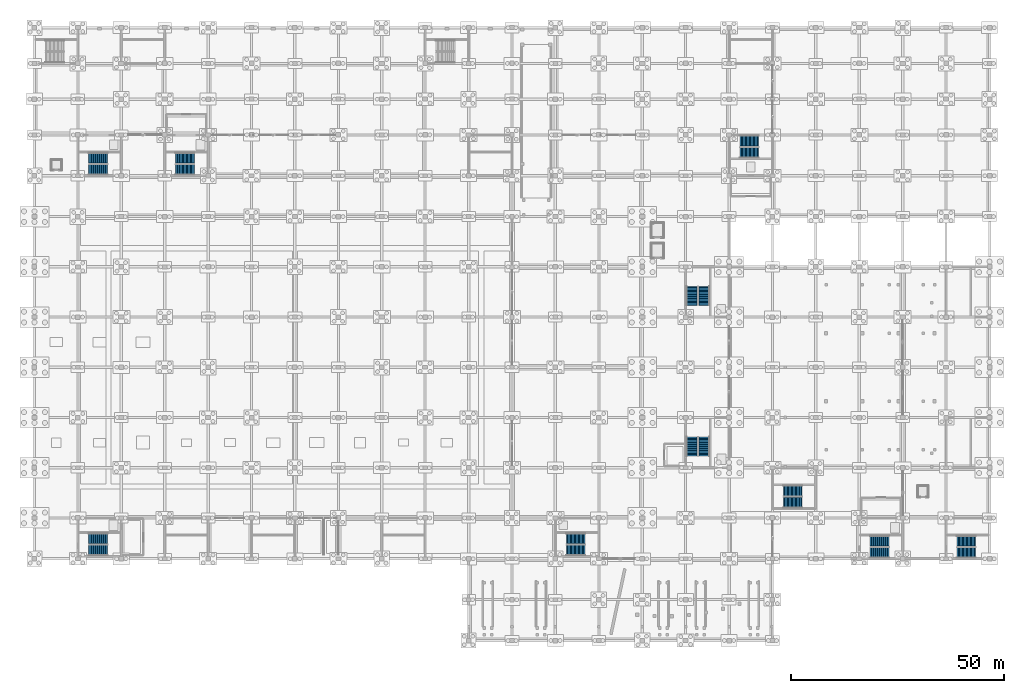
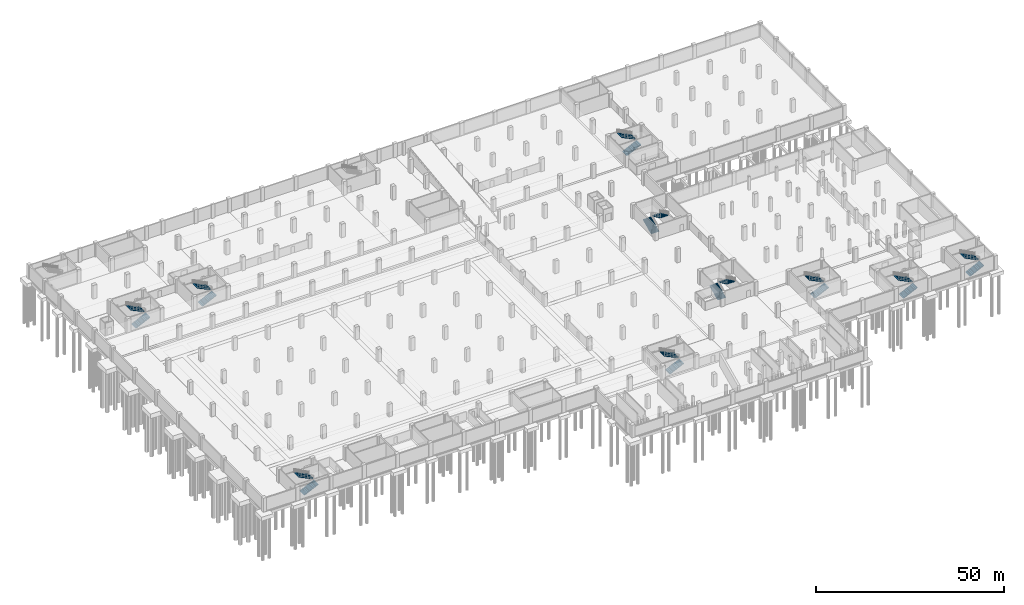
# One storey, part 45 of 52: 20 stair flights, 10 elements without a shape of their own.
"""IFC4 building model written with IfcOpenShell, lengths in metres."""

import ifcopenshell
import ifcopenshell.guid

model = None  # the IFC model being written
_history = None  # IfcOwnerHistory: only IFC2X3 demands one
_inside = {}  # id of a spatial element -> (the spatial element, [elements in it])
_under = {}  # id of a project, library or spatial element -> (it, [spatial elements below it])
_declared = {}  # id of a project -> (the project, [libraries it declares])
_typed = {}  # id of a type object -> (the type object, [elements of that type])
_made_of = {}  # id of a material, layer set ... -> (it, [elements and type objects made of it])


def new_model(schema):
    """Start an empty IFC model of exactly this schema.

    Asked for "IFC4X3", IfcOpenShell would pick the latest addendum, in which some entities
    have other attributes; the version numbers below select the first issue.
    IFC2X3 requires an IfcOwnerHistory on every rooted entity: one is made here for all.
    """
    global model, _history
    if schema == "IFC4X3":
        model = ifcopenshell.file(schema_version=(4, 3, 0, 0))
    else:
        model = ifcopenshell.file(schema=schema)
    _inside.clear()
    _under.clear()
    _declared.clear()
    _typed.clear()
    _made_of.clear()
    _history = None
    if model.schema == "IFC2X3":
        org = make("IfcOrganization", Name="unknown")
        user = make(
            "IfcPersonAndOrganization",
            ThePerson=make("IfcPerson", FamilyName="unknown"),
            TheOrganization=org,
        )
        app = make(
            "IfcApplication",
            ApplicationDeveloper=org,
            Version="unknown",
            ApplicationFullName="unknown",
            ApplicationIdentifier="unknown",
        )
        _history = make(
            "IfcOwnerHistory",
            OwningUser=user,
            OwningApplication=app,
            ChangeAction="ADDED",
            CreationDate=0,
        )
    return model


def make(cls, **values):
    """One entity of the class cls with the attributes given. An attribute that is None is left unset."""
    return model.create_entity(
        cls, **{name: value for name, value in values.items() if value is not None}
    )


def rooted(cls, **values):
    """An entity with a GlobalId (a new one), such as an element, a storey or a relation."""
    return make(cls, GlobalId=ifcopenshell.guid.new(), OwnerHistory=_history, **values)


def si_unit(unit_type, name, prefix=None):
    """IfcSIUnit, for example si_unit("LENGTHUNIT", "METRE", prefix="MILLI")."""
    return make("IfcSIUnit", UnitType=unit_type, Prefix=prefix, Name=name)


def assignment(units):
    """IfcUnitAssignment: the units of a project."""
    return None if units is None else make("IfcUnitAssignment", Units=units)


def point(xyz):
    """IfcCartesianPoint."""
    return None if xyz is None else make("IfcCartesianPoint", Coordinates=xyz)


def direction(xyz):
    """IfcDirection."""
    return None if xyz is None else make("IfcDirection", DirectionRatios=xyz)


def frame(location, z_axis=None, x_axis=None):
    """IfcAxis2Placement3D, a coordinate frame: its origin and axes. An axis left out is left unset."""
    return make(
        "IfcAxis2Placement3D",
        Location=point(location),
        Axis=direction(z_axis),
        RefDirection=direction(x_axis),
    )


def origin():
    """The frame at (0, 0, 0) with its axes left unset."""
    return frame((0.0, 0.0, 0.0))


def place(relative_to, where):
    """IfcLocalPlacement: puts the frame where relative to a parent placement (None: the world)."""
    return make(
        "IfcLocalPlacement", PlacementRelTo=relative_to, RelativePlacement=where
    )


def context(
    kind, dimensions, precision=None, world=None, true_north=None, identifier=None
):
    """IfcGeometricRepresentationContext, for example the 3D "Model" context."""
    return make(
        "IfcGeometricRepresentationContext",
        ContextIdentifier=identifier,
        ContextType=kind,
        CoordinateSpaceDimension=dimensions,
        Precision=precision,
        WorldCoordinateSystem=world,
        TrueNorth=true_north,
    )


def subcontext(parent, identifier, kind, view, scale=None):
    """IfcGeometricRepresentationSubContext, for example "Body" below "Model"."""
    return make(
        "IfcGeometricRepresentationSubContext",
        ContextIdentifier=identifier,
        ContextType=kind,
        ParentContext=parent,
        TargetScale=scale,
        TargetView=view,
    )


def project(units=None, contexts=None):
    """IfcProject with its units and contexts."""
    return rooted(
        "IfcProject",
        Name="project",
        RepresentationContexts=contexts,
        UnitsInContext=assignment(units),
    )


def spatial(cls, under=None, at=None, **own):
    """A site, building, storey or space (cls), placed at a placement, below another one or the project."""
    s = rooted(cls, ObjectPlacement=at, **own)
    if under is not None:
        _under.setdefault(under.id(), (under, []))[1].append(s)
    return s


def polyline(points):
    """IfcPolyline through the points."""
    return make("IfcPolyline", Points=[point(p) for p in points])


def outline(outer, holes=None, kind="AREA"):
    """IfcArbitraryClosedProfileDef: a profile drawn as a closed curve; with holes, ...WithVoids."""
    if holes is None:
        return make("IfcArbitraryClosedProfileDef", ProfileType=kind, OuterCurve=outer)
    return make(
        "IfcArbitraryProfileDefWithVoids",
        ProfileType=kind,
        OuterCurve=outer,
        InnerCurves=holes,
    )


def extrude(swept, where, along, depth):
    """IfcExtrudedAreaSolid: the profile swept, set in the frame where, extruded along a direction by depth."""
    return make(
        "IfcExtrudedAreaSolid",
        SweptArea=swept,
        Position=where,
        ExtrudedDirection=direction(along),
        Depth=depth,
    )


def shape(context_of_items, identifier, shape_type, items):
    """IfcShapeRepresentation: the items that make up one representation, for example the "Body"."""
    return make(
        "IfcShapeRepresentation",
        ContextOfItems=context_of_items,
        RepresentationIdentifier=identifier,
        RepresentationType=shape_type,
        Items=items,
    )


def material(Name=None, Category=None):
    """IfcMaterial."""
    return make("IfcMaterial", Name=Name, Category=Category)


def made_of(thing, what):
    """Note that an element or type object is made of a material, layer set ...; save() writes the relation."""
    if what is not None:
        _made_of.setdefault(what.id(), (what, []))[1].append(thing)
    return thing


def type_object(cls, material=None, **own):
    """A type object (cls), such as IfcWallType, which elements share."""
    return made_of(rooted(cls, **own), material)


def element(
    cls,
    number,
    at=None,
    inside=None,
    cuts=None,
    type_object=None,
    material=None,
    context=None,
    identifier="Body",
    shape_type=None,
    held_by="IfcProductDefinitionShape",
    body=None,
    shapes=None,
    **own,
):
    """One element of the class cls, such as IfcWall. Its Tag is "e" and its number.

    at: its placement. inside: the storey or other place that contains it. cuts: it is an
    opening in that element (IfcRelVoidsElement). A single representation is given by context,
    identifier, shape_type and body (its items); several are given by shapes. held_by: the class
    of the entity that holds the representations. save() writes the other relations.
    """
    e = rooted(cls, Tag="e%d" % number, ObjectPlacement=at, **own)
    if body is not None:
        shapes = [shape(context, identifier, shape_type, body)]
    if shapes is not None:
        e.Representation = make(held_by, Representations=shapes)
    if inside is not None:
        _inside.setdefault(inside.id(), (inside, []))[1].append(e)
    if cuts is not None:
        rooted(
            "IfcRelVoidsElement", RelatingBuildingElement=cuts, RelatedOpeningElement=e
        )
    if type_object is not None:
        _typed.setdefault(type_object.id(), (type_object, []))[1].append(e)
    return made_of(e, material)


def aggregate(whole, parts):
    """IfcRelAggregates: a whole, such as a stair, and the parts it consists of."""
    return rooted("IfcRelAggregates", RelatingObject=whole, RelatedObjects=parts)


def save(model, path):
    """Write the relations noted so far, then the file.

    IfcRelAggregates (storeys below a building ...), IfcRelContainedInSpatialStructure (elements
    in a storey), IfcRelDefinesByType, IfcRelAssociatesMaterial and IfcRelDeclares: one each for
    every whole, place, type object, material and project.
    """
    for whole, parts in _under.values():
        aggregate(whole, parts)
    for where, things in _inside.values():
        rooted(
            "IfcRelContainedInSpatialStructure",
            RelatedElements=things,
            RelatingStructure=where,
        )
    for kind, things in _typed.values():
        rooted("IfcRelDefinesByType", RelatedObjects=things, RelatingType=kind)
    for what, things in _made_of.values():
        rooted("IfcRelAssociatesMaterial", RelatedObjects=things, RelatingMaterial=what)
    for by, libraries in _declared.values():
        rooted("IfcRelDeclares", RelatingContext=by, RelatedDefinitions=libraries)
    model.write(path)


model = new_model("IFC4")

# Units and contexts
model_context = context("Model", 3, precision=1e-05, world=origin(), true_north=direction((0.0, 1.0)))
body_context = subcontext(model_context, "Body", "Model", "MODEL_VIEW")
ifc_project = project(units=[si_unit("LENGTHUNIT", "METRE"), si_unit("AREAUNIT", "SQUARE_METRE"), si_unit("VOLUMEUNIT", "CUBIC_METRE"), si_unit("PLANEANGLEUNIT", "RADIAN"), si_unit("MASSUNIT", "GRAM", prefix="KILO")], contexts=[model_context])

# Site, building, storey
site_placement = place(None, origin())
site = spatial("IfcSite", under=ifc_project, at=site_placement, CompositionType="ELEMENT")
building_placement = place(site_placement, origin())
building = spatial("IfcBuilding", under=site, at=building_placement, Name="Brelvane Convention Centre", CompositionType="ELEMENT")
storey_placement = place(building_placement, frame((0.0, 0.0, -4.5)))
storey = spatial("IfcBuildingStorey", under=building, at=storey_placement, Name="B1", CompositionType="ELEMENT", Elevation=-4.5)

# Stair, stair flights
ifc_material_1 = material(Name="Concrete M40", Category="concrete")
stair_type_1 = type_object("IfcStairType", Name="Exit Stair ST-ASM", PredefinedType="HALF_TURN_STAIR", material=ifc_material_1)
stair_1_placement = place(storey_placement, origin())
stair_1 = element("IfcStair", 1, at=stair_1_placement, inside=storey, type_object=stair_type_1, Name="Exit Stair ST-03 (B1 to L00)", PredefinedType="HALF_TURN_STAIR")
ifc_material_2 = material(Name="Concrete M40", Category="concrete")
stair_flight_type_1 = type_object("IfcStairFlightType", Name="Stair Flight SF-A15", PredefinedType="STRAIGHT", material=ifc_material_2)
stair_flight_1_placement = place(storey_placement, frame((154.47998046875, 43.35009765625, 0.0), z_axis=(0.0, 0.0, 1.0), x_axis=(0.0, 1.0, 0.0)))
stair_flight_1 = element("IfcStairFlight", 2, at=stair_flight_1_placement, type_object=stair_flight_type_1, Name="Stair ST-03 B1 Flight 1", NumberOfRisers=15, NumberOfTreads=14, PredefinedType="STRAIGHT", RiserHeight=0.15, TreadLength=0.32, context=body_context, shape_type="SweptSolid", body=[
    extrude(outline(polyline([(0.0, 0.0), (0.0, 0.14990234375), (0.320068359375, 0.14990234375), (0.320068359375, 0.300048828125), (0.639892578125, 0.300048828125), (0.639892578125, 0.449951171875), (0.9599609375, 0.449951171875), (0.9599609375, 0.60009765625), (1.280029296875, 0.60009765625), (1.280029296875, 0.75), (1.60009765625, 0.75), (1.60009765625, 0.89990234375), (1.919921875, 0.89990234375), (1.919921875, 1.050048828125), (2.239990234375, 1.050048828125), (2.239990234375, 1.199951171875), (2.56005859375, 1.199951171875), (2.56005859375, 1.35009765625), (2.8798828125, 1.35009765625), (2.8798828125, 1.5), (3.199951171875, 1.5), (3.199951171875, 1.64990234375), (3.52001953125, 1.64990234375), (3.52001953125, 1.800048828125), (3.840087890625, 1.800048828125), (3.840087890625, 1.949951171875), (4.159912109375, 1.949951171875), (4.159912109375, 2.10009765625), (4.47998046875, 2.10009765625), (4.47998046875, 2.25), (4.47998046875, 1.9013671875), (0.423828125, 0.0), (0.0, 0.0)])), frame((0.0, 1.239990234375, 0.0), z_axis=(0.0, -1.0, 0.0), x_axis=(1.0, 0.0, 0.0)), (0.0, 0.0, 1.0), 2.47998046875),
])
stair_flight_2_placement = place(storey_placement, frame((157.320068359375, 47.830078125, 2.25), z_axis=(0.0, 0.0, 1.0), x_axis=(0.0, -1.0, 0.0)))
stair_flight_2 = element("IfcStairFlight", 3, at=stair_flight_2_placement, type_object=stair_flight_type_1, Name="Stair ST-03 B1 Flight 2", NumberOfRisers=15, NumberOfTreads=14, PredefinedType="STRAIGHT", RiserHeight=0.15, TreadLength=0.32, context=body_context, shape_type="SweptSolid", body=[
    extrude(outline(polyline([(0.0, 0.0), (0.0, 0.14990234375), (0.320068359375, 0.14990234375), (0.320068359375, 0.300048828125), (0.639892578125, 0.300048828125), (0.639892578125, 0.449951171875), (0.9599609375, 0.449951171875), (0.9599609375, 0.60009765625), (1.280029296875, 0.60009765625), (1.280029296875, 0.75), (1.60009765625, 0.75), (1.60009765625, 0.89990234375), (1.919921875, 0.89990234375), (1.919921875, 1.050048828125), (2.239990234375, 1.050048828125), (2.239990234375, 1.199951171875), (2.56005859375, 1.199951171875), (2.56005859375, 1.35009765625), (2.8798828125, 1.35009765625), (2.8798828125, 1.5), (3.199951171875, 1.5), (3.199951171875, 1.64990234375), (3.52001953125, 1.64990234375), (3.52001953125, 1.800048828125), (3.840087890625, 1.800048828125), (3.840087890625, 1.949951171875), (4.159912109375, 1.949951171875), (4.159912109375, 2.10009765625), (4.47998046875, 2.10009765625), (4.47998046875, 2.25), (4.47998046875, 1.9013671875), (0.423828125, 0.0), (0.0, 0.0)])), frame((0.0, 1.239990234375, 0.0), z_axis=(0.0, -1.0, 0.0), x_axis=(1.0, 0.0, 0.0)), (0.0, 0.0, 1.0), 2.47998046875),
])
aggregate(stair_1, [stair_flight_1, stair_flight_2])

stair_2_placement = place(storey_placement, origin())
stair_2 = element("IfcStair", 4, at=stair_2_placement, inside=storey, type_object=stair_type_1, Name="Exit Stair ST-04 (B1 to L00)", PredefinedType="HALF_TURN_STAIR")
stair_flight_3_placement = place(storey_placement, frame((154.47998046875, 78.75, 0.0), z_axis=(0.0, 0.0, 1.0), x_axis=(0.0, 1.0, 0.0)))
stair_flight_3 = element("IfcStairFlight", 5, at=stair_flight_3_placement, type_object=stair_flight_type_1, Name="Stair ST-04 B1 Flight 1", NumberOfRisers=15, NumberOfTreads=14, PredefinedType="STRAIGHT", RiserHeight=0.15, TreadLength=0.32, context=body_context, shape_type="SweptSolid", body=[
    extrude(outline(polyline([(0.0, 0.0), (0.0, 0.14990234375), (0.320068359375, 0.14990234375), (0.320068359375, 0.300048828125), (0.639892578125, 0.300048828125), (0.639892578125, 0.449951171875), (0.9599609375, 0.449951171875), (0.9599609375, 0.60009765625), (1.280029296875, 0.60009765625), (1.280029296875, 0.75), (1.60009765625, 0.75), (1.60009765625, 0.89990234375), (1.919921875, 0.89990234375), (1.919921875, 1.050048828125), (2.239990234375, 1.050048828125), (2.239990234375, 1.199951171875), (2.56005859375, 1.199951171875), (2.56005859375, 1.35009765625), (2.8798828125, 1.35009765625), (2.8798828125, 1.5), (3.199951171875, 1.5), (3.199951171875, 1.64990234375), (3.52001953125, 1.64990234375), (3.52001953125, 1.800048828125), (3.840087890625, 1.800048828125), (3.840087890625, 1.949951171875), (4.159912109375, 1.949951171875), (4.159912109375, 2.10009765625), (4.47998046875, 2.10009765625), (4.47998046875, 2.25), (4.47998046875, 1.9013671875), (0.423828125, 0.0), (0.0, 0.0)])), frame((0.0, 1.239990234375, 0.0), z_axis=(0.0, -1.0, 0.0), x_axis=(1.0, 0.0, 0.0)), (0.0, 0.0, 1.0), 2.47998046875),
])
stair_flight_4_placement = place(storey_placement, frame((157.320068359375, 83.22998046875, 2.25), z_axis=(0.0, 0.0, 1.0), x_axis=(0.0, -1.0, 0.0)))
stair_flight_4 = element("IfcStairFlight", 6, at=stair_flight_4_placement, type_object=stair_flight_type_1, Name="Stair ST-04 B1 Flight 2", NumberOfRisers=15, NumberOfTreads=14, PredefinedType="STRAIGHT", RiserHeight=0.15, TreadLength=0.32, context=body_context, shape_type="SweptSolid", body=[
    extrude(outline(polyline([(0.0, 0.0), (0.0, 0.14990234375), (0.320068359375, 0.14990234375), (0.320068359375, 0.300048828125), (0.639892578125, 0.300048828125), (0.639892578125, 0.449951171875), (0.9599609375, 0.449951171875), (0.9599609375, 0.60009765625), (1.280029296875, 0.60009765625), (1.280029296875, 0.75), (1.60009765625, 0.75), (1.60009765625, 0.89990234375), (1.919921875, 0.89990234375), (1.919921875, 1.050048828125), (2.239990234375, 1.050048828125), (2.239990234375, 1.199951171875), (2.56005859375, 1.199951171875), (2.56005859375, 1.35009765625), (2.8798828125, 1.35009765625), (2.8798828125, 1.5), (3.199951171875, 1.5), (3.199951171875, 1.64990234375), (3.52001953125, 1.64990234375), (3.52001953125, 1.800048828125), (3.840087890625, 1.800048828125), (3.840087890625, 1.949951171875), (4.159912109375, 1.949951171875), (4.159912109375, 2.10009765625), (4.47998046875, 2.10009765625), (4.47998046875, 2.25), (4.47998046875, 1.9013671875), (0.423828125, 0.0), (0.0, 0.0)])), frame((0.0, 1.239990234375, 0.0), z_axis=(0.0, -1.0, 0.0), x_axis=(1.0, 0.0, 0.0)), (0.0, 0.0, 1.0), 2.47998046875),
])
aggregate(stair_2, [stair_flight_3, stair_flight_4])

ifc_material_3 = material(Name="Concrete M40", Category="concrete")
stair_type_2 = type_object("IfcStairType", Name="Exit Stair ST-CORE", PredefinedType="HALF_TURN_STAIR", material=ifc_material_3)
stair_3_placement = place(storey_placement, origin())
stair_3 = element("IfcStair", 7, at=stair_3_placement, inside=storey, type_object=stair_type_2, Name="Exit Stair ST-01 (B1 to L00)", PredefinedType="HALF_TURN_STAIR")
ifc_material_4 = material(Name="Concrete M40", Category="concrete")
stair_flight_type_2 = type_object("IfcStairFlightType", Name="Stair Flight SF-C15", PredefinedType="STRAIGHT", material=ifc_material_4)
stair_flight_5_placement = place(storey_placement, frame((12.75, 21.22998046875, 0.0), z_axis=(0.0, 0.0, 1.0), x_axis=(1.0, 0.0, 0.0)))
stair_flight_5 = element("IfcStairFlight", 8, at=stair_flight_5_placement, type_object=stair_flight_type_2, Name="Stair ST-01 B1 Flight 1", NumberOfRisers=15, NumberOfTreads=14, PredefinedType="STRAIGHT", RiserHeight=0.15, TreadLength=0.315, context=body_context, shape_type="SweptSolid", body=[
    extrude(outline(polyline([(0.0, 0.0), (0.0, 0.14990234375), (0.31494140625, 0.14990234375), (0.31494140625, 0.300048828125), (0.6298828125, 0.300048828125), (0.6298828125, 0.449951171875), (0.945068359375, 0.449951171875), (0.945068359375, 0.60009765625), (1.260009765625, 0.60009765625), (1.260009765625, 0.75), (1.574951171875, 0.75), (1.574951171875, 0.89990234375), (1.889892578125, 0.89990234375), (1.889892578125, 1.050048828125), (2.205078125, 1.050048828125), (2.205078125, 1.199951171875), (2.52001953125, 1.199951171875), (2.52001953125, 1.35009765625), (2.8349609375, 1.35009765625), (2.8349609375, 1.5), (3.14990234375, 1.5), (3.14990234375, 1.64990234375), (3.465087890625, 1.64990234375), (3.465087890625, 1.800048828125), (3.780029296875, 1.800048828125), (3.780029296875, 1.949951171875), (4.094970703125, 1.949951171875), (4.094970703125, 2.10009765625), (4.409912109375, 2.10009765625), (4.409912109375, 2.25), (4.409912109375, 1.900634765625), (0.41845703125, 0.0), (0.0, 0.0)])), frame((0.0, 1.18994140625, 0.0), z_axis=(0.0, -1.0, 0.0), x_axis=(1.0, 0.0, 0.0)), (0.0, 0.0, 1.0), 2.3798828125),
])
stair_flight_6_placement = place(storey_placement, frame((17.159912109375, 23.969970703125, 2.25), z_axis=(0.0, 0.0, 1.0), x_axis=(-1.0, 0.0, 0.0)))
stair_flight_6 = element("IfcStairFlight", 9, at=stair_flight_6_placement, type_object=stair_flight_type_2, Name="Stair ST-01 B1 Flight 2", NumberOfRisers=15, NumberOfTreads=14, PredefinedType="STRAIGHT", RiserHeight=0.15, TreadLength=0.315, context=body_context, shape_type="SweptSolid", body=[
    extrude(outline(polyline([(0.0, 0.0), (0.0, 0.14990234375), (0.31494140625, 0.14990234375), (0.31494140625, 0.300048828125), (0.6298828125, 0.300048828125), (0.6298828125, 0.449951171875), (0.945068359375, 0.449951171875), (0.945068359375, 0.60009765625), (1.260009765625, 0.60009765625), (1.260009765625, 0.75), (1.574951171875, 0.75), (1.574951171875, 0.89990234375), (1.889892578125, 0.89990234375), (1.889892578125, 1.050048828125), (2.205078125, 1.050048828125), (2.205078125, 1.199951171875), (2.52001953125, 1.199951171875), (2.52001953125, 1.35009765625), (2.8349609375, 1.35009765625), (2.8349609375, 1.5), (3.14990234375, 1.5), (3.14990234375, 1.64990234375), (3.465087890625, 1.64990234375), (3.465087890625, 1.800048828125), (3.780029296875, 1.800048828125), (3.780029296875, 1.949951171875), (4.094970703125, 1.949951171875), (4.094970703125, 2.10009765625), (4.409912109375, 2.10009765625), (4.409912109375, 2.25), (4.409912109375, 1.900634765625), (0.41845703125, 0.0), (0.0, 0.0)])), frame((0.0, 1.18994140625, 0.0), z_axis=(0.0, -1.0, 0.0), x_axis=(1.0, 0.0, 0.0)), (0.0, 0.0, 1.0), 2.3798828125),
])
aggregate(stair_3, [stair_flight_5, stair_flight_6])

stair_4_placement = place(storey_placement, origin())
stair_4 = element("IfcStair", 10, at=stair_4_placement, inside=storey, type_object=stair_type_2, Name="Exit Stair ST-02 (B1 to L00)", PredefinedType="HALF_TURN_STAIR")
stair_flight_7_placement = place(storey_placement, frame((124.949951171875, 21.22998046875, 0.0), z_axis=(0.0, 0.0, 1.0), x_axis=(1.0, 0.0, 0.0)))
stair_flight_7 = element("IfcStairFlight", 11, at=stair_flight_7_placement, type_object=stair_flight_type_2, Name="Stair ST-02 B1 Flight 1", NumberOfRisers=15, NumberOfTreads=14, PredefinedType="STRAIGHT", RiserHeight=0.15, TreadLength=0.315, context=body_context, shape_type="SweptSolid", body=[
    extrude(outline(polyline([(0.0, 0.0), (0.0, 0.14990234375), (0.31494140625, 0.14990234375), (0.31494140625, 0.300048828125), (0.6298828125, 0.300048828125), (0.6298828125, 0.449951171875), (0.945068359375, 0.449951171875), (0.945068359375, 0.60009765625), (1.260009765625, 0.60009765625), (1.260009765625, 0.75), (1.574951171875, 0.75), (1.574951171875, 0.89990234375), (1.889892578125, 0.89990234375), (1.889892578125, 1.050048828125), (2.205078125, 1.050048828125), (2.205078125, 1.199951171875), (2.52001953125, 1.199951171875), (2.52001953125, 1.35009765625), (2.8349609375, 1.35009765625), (2.8349609375, 1.5), (3.14990234375, 1.5), (3.14990234375, 1.64990234375), (3.465087890625, 1.64990234375), (3.465087890625, 1.800048828125), (3.780029296875, 1.800048828125), (3.780029296875, 1.949951171875), (4.094970703125, 1.949951171875), (4.094970703125, 2.10009765625), (4.409912109375, 2.10009765625), (4.409912109375, 2.25), (4.409912109375, 1.900634765625), (0.41845703125, 0.0), (0.0, 0.0)])), frame((0.0, 1.18994140625, 0.0), z_axis=(0.0, -1.0, 0.0), x_axis=(1.0, 0.0, 0.0)), (0.0, 0.0, 1.0), 2.3798828125),
])
stair_flight_8_placement = place(storey_placement, frame((129.360107421875, 23.969970703125, 2.25), z_axis=(0.0, 0.0, 1.0), x_axis=(-1.0, 0.0, 0.0)))
stair_flight_8 = element("IfcStairFlight", 12, at=stair_flight_8_placement, type_object=stair_flight_type_2, Name="Stair ST-02 B1 Flight 2", NumberOfRisers=15, NumberOfTreads=14, PredefinedType="STRAIGHT", RiserHeight=0.15, TreadLength=0.315, context=body_context, shape_type="SweptSolid", body=[
    extrude(outline(polyline([(0.0, 0.0), (0.0, 0.14990234375), (0.31494140625, 0.14990234375), (0.31494140625, 0.300048828125), (0.6298828125, 0.300048828125), (0.6298828125, 0.449951171875), (0.945068359375, 0.449951171875), (0.945068359375, 0.60009765625), (1.260009765625, 0.60009765625), (1.260009765625, 0.75), (1.574951171875, 0.75), (1.574951171875, 0.89990234375), (1.889892578125, 0.89990234375), (1.889892578125, 1.050048828125), (2.205078125, 1.050048828125), (2.205078125, 1.199951171875), (2.52001953125, 1.199951171875), (2.52001953125, 1.35009765625), (2.8349609375, 1.35009765625), (2.8349609375, 1.5), (3.14990234375, 1.5), (3.14990234375, 1.64990234375), (3.465087890625, 1.64990234375), (3.465087890625, 1.800048828125), (3.780029296875, 1.800048828125), (3.780029296875, 1.949951171875), (4.094970703125, 1.949951171875), (4.094970703125, 2.10009765625), (4.409912109375, 2.10009765625), (4.409912109375, 2.25), (4.409912109375, 1.900634765625), (0.41845703125, 0.0), (0.0, 0.0)])), frame((0.0, 1.18994140625, 0.0), z_axis=(0.0, -1.0, 0.0), x_axis=(1.0, 0.0, 0.0)), (0.0, 0.0, 1.0), 2.3798828125),
])
aggregate(stair_4, [stair_flight_7, stair_flight_8])

stair_5_placement = place(storey_placement, origin())
stair_5 = element("IfcStair", 13, at=stair_5_placement, inside=storey, type_object=stair_type_2, Name="Exit Stair ST-05 (B1 to L00)", PredefinedType="HALF_TURN_STAIR")
stair_flight_9_placement = place(storey_placement, frame((165.75, 114.6298828125, 0.0), z_axis=(0.0, 0.0, 1.0), x_axis=(1.0, 0.0, 0.0)))
stair_flight_9 = element("IfcStairFlight", 14, at=stair_flight_9_placement, type_object=stair_flight_type_2, Name="Stair ST-05 B1 Flight 1", NumberOfRisers=15, NumberOfTreads=14, PredefinedType="STRAIGHT", RiserHeight=0.15, TreadLength=0.315, context=body_context, shape_type="SweptSolid", body=[
    extrude(outline(polyline([(0.0, 0.0), (0.0, 0.14990234375), (0.31494140625, 0.14990234375), (0.31494140625, 0.300048828125), (0.6298828125, 0.300048828125), (0.6298828125, 0.449951171875), (0.945068359375, 0.449951171875), (0.945068359375, 0.60009765625), (1.260009765625, 0.60009765625), (1.260009765625, 0.75), (1.574951171875, 0.75), (1.574951171875, 0.89990234375), (1.889892578125, 0.89990234375), (1.889892578125, 1.050048828125), (2.205078125, 1.050048828125), (2.205078125, 1.199951171875), (2.52001953125, 1.199951171875), (2.52001953125, 1.35009765625), (2.8349609375, 1.35009765625), (2.8349609375, 1.5), (3.14990234375, 1.5), (3.14990234375, 1.64990234375), (3.465087890625, 1.64990234375), (3.465087890625, 1.800048828125), (3.780029296875, 1.800048828125), (3.780029296875, 1.949951171875), (4.094970703125, 1.949951171875), (4.094970703125, 2.10009765625), (4.409912109375, 2.10009765625), (4.409912109375, 2.25), (4.409912109375, 1.900634765625), (0.41845703125, 0.0), (0.0, 0.0)])), frame((0.0, 1.18994140625, 0.0), z_axis=(0.0, -1.0, 0.0), x_axis=(1.0, 0.0, 0.0)), (0.0, 0.0, 1.0), 2.3798828125),
])
stair_flight_10_placement = place(storey_placement, frame((170.159912109375, 117.3701171875, 2.25), z_axis=(0.0, 0.0, 1.0), x_axis=(-1.0, 0.0, 0.0)))
stair_flight_10 = element("IfcStairFlight", 15, at=stair_flight_10_placement, type_object=stair_flight_type_2, Name="Stair ST-05 B1 Flight 2", NumberOfRisers=15, NumberOfTreads=14, PredefinedType="STRAIGHT", RiserHeight=0.15, TreadLength=0.315, context=body_context, shape_type="SweptSolid", body=[
    extrude(outline(polyline([(0.0, 0.0), (0.0, 0.14990234375), (0.31494140625, 0.14990234375), (0.31494140625, 0.300048828125), (0.6298828125, 0.300048828125), (0.6298828125, 0.449951171875), (0.945068359375, 0.449951171875), (0.945068359375, 0.60009765625), (1.260009765625, 0.60009765625), (1.260009765625, 0.75), (1.574951171875, 0.75), (1.574951171875, 0.89990234375), (1.889892578125, 0.89990234375), (1.889892578125, 1.050048828125), (2.205078125, 1.050048828125), (2.205078125, 1.199951171875), (2.52001953125, 1.199951171875), (2.52001953125, 1.35009765625), (2.8349609375, 1.35009765625), (2.8349609375, 1.5), (3.14990234375, 1.5), (3.14990234375, 1.64990234375), (3.465087890625, 1.64990234375), (3.465087890625, 1.800048828125), (3.780029296875, 1.800048828125), (3.780029296875, 1.949951171875), (4.094970703125, 1.949951171875), (4.094970703125, 2.10009765625), (4.409912109375, 2.10009765625), (4.409912109375, 2.25), (4.409912109375, 1.900634765625), (0.41845703125, 0.0), (0.0, 0.0)])), frame((0.0, 1.18994140625, 0.0), z_axis=(0.0, -1.0, 0.0), x_axis=(1.0, 0.0, 0.0)), (0.0, 0.0, 1.0), 2.3798828125),
])
aggregate(stair_5, [stair_flight_9, stair_flight_10])

stair_6_placement = place(storey_placement, origin())
stair_6 = element("IfcStair", 16, at=stair_6_placement, inside=storey, type_object=stair_type_2, Name="Exit Stair ST-06 (B1 to L00)", PredefinedType="HALF_TURN_STAIR")
stair_flight_11_placement = place(storey_placement, frame((12.75, 110.6298828125, 0.0), z_axis=(0.0, 0.0, 1.0), x_axis=(1.0, 0.0, 0.0)))
stair_flight_11 = element("IfcStairFlight", 17, at=stair_flight_11_placement, type_object=stair_flight_type_2, Name="Stair ST-06 B1 Flight 1", NumberOfRisers=15, NumberOfTreads=14, PredefinedType="STRAIGHT", RiserHeight=0.15, TreadLength=0.315, context=body_context, shape_type="SweptSolid", body=[
    extrude(outline(polyline([(0.0, 0.0), (0.0, 0.14990234375), (0.31494140625, 0.14990234375), (0.31494140625, 0.300048828125), (0.6298828125, 0.300048828125), (0.6298828125, 0.449951171875), (0.945068359375, 0.449951171875), (0.945068359375, 0.60009765625), (1.260009765625, 0.60009765625), (1.260009765625, 0.75), (1.574951171875, 0.75), (1.574951171875, 0.89990234375), (1.889892578125, 0.89990234375), (1.889892578125, 1.050048828125), (2.205078125, 1.050048828125), (2.205078125, 1.199951171875), (2.52001953125, 1.199951171875), (2.52001953125, 1.35009765625), (2.8349609375, 1.35009765625), (2.8349609375, 1.5), (3.14990234375, 1.5), (3.14990234375, 1.64990234375), (3.465087890625, 1.64990234375), (3.465087890625, 1.800048828125), (3.780029296875, 1.800048828125), (3.780029296875, 1.949951171875), (4.094970703125, 1.949951171875), (4.094970703125, 2.10009765625), (4.409912109375, 2.10009765625), (4.409912109375, 2.25), (4.409912109375, 1.900634765625), (0.41845703125, 0.0), (0.0, 0.0)])), frame((0.0, 1.18994140625, 0.0), z_axis=(0.0, -1.0, 0.0), x_axis=(1.0, 0.0, 0.0)), (0.0, 0.0, 1.0), 2.3798828125),
])
stair_flight_12_placement = place(storey_placement, frame((17.159912109375, 113.3701171875, 2.25), z_axis=(0.0, 0.0, 1.0), x_axis=(-1.0, 0.0, 0.0)))
stair_flight_12 = element("IfcStairFlight", 18, at=stair_flight_12_placement, type_object=stair_flight_type_2, Name="Stair ST-06 B1 Flight 2", NumberOfRisers=15, NumberOfTreads=14, PredefinedType="STRAIGHT", RiserHeight=0.15, TreadLength=0.315, context=body_context, shape_type="SweptSolid", body=[
    extrude(outline(polyline([(0.0, 0.0), (0.0, 0.14990234375), (0.31494140625, 0.14990234375), (0.31494140625, 0.300048828125), (0.6298828125, 0.300048828125), (0.6298828125, 0.449951171875), (0.945068359375, 0.449951171875), (0.945068359375, 0.60009765625), (1.260009765625, 0.60009765625), (1.260009765625, 0.75), (1.574951171875, 0.75), (1.574951171875, 0.89990234375), (1.889892578125, 0.89990234375), (1.889892578125, 1.050048828125), (2.205078125, 1.050048828125), (2.205078125, 1.199951171875), (2.52001953125, 1.199951171875), (2.52001953125, 1.35009765625), (2.8349609375, 1.35009765625), (2.8349609375, 1.5), (3.14990234375, 1.5), (3.14990234375, 1.64990234375), (3.465087890625, 1.64990234375), (3.465087890625, 1.800048828125), (3.780029296875, 1.800048828125), (3.780029296875, 1.949951171875), (4.094970703125, 1.949951171875), (4.094970703125, 2.10009765625), (4.409912109375, 2.10009765625), (4.409912109375, 2.25), (4.409912109375, 1.900634765625), (0.41845703125, 0.0), (0.0, 0.0)])), frame((0.0, 1.18994140625, 0.0), z_axis=(0.0, -1.0, 0.0), x_axis=(1.0, 0.0, 0.0)), (0.0, 0.0, 1.0), 2.3798828125),
])
aggregate(stair_6, [stair_flight_11, stair_flight_12])

stair_7_placement = place(storey_placement, origin())
stair_7 = element("IfcStair", 19, at=stair_7_placement, inside=storey, type_object=stair_type_2, Name="Exit Stair ST-07 (B1 to L00)", PredefinedType="HALF_TURN_STAIR")
stair_flight_13_placement = place(storey_placement, frame((33.14990234375, 110.6298828125, 0.0), z_axis=(0.0, 0.0, 1.0), x_axis=(1.0, 0.0, 0.0)))
stair_flight_13 = element("IfcStairFlight", 20, at=stair_flight_13_placement, type_object=stair_flight_type_2, Name="Stair ST-07 B1 Flight 1", NumberOfRisers=15, NumberOfTreads=14, PredefinedType="STRAIGHT", RiserHeight=0.15, TreadLength=0.315, context=body_context, shape_type="SweptSolid", body=[
    extrude(outline(polyline([(0.0, 0.0), (0.0, 0.14990234375), (0.31494140625, 0.14990234375), (0.31494140625, 0.300048828125), (0.6298828125, 0.300048828125), (0.6298828125, 0.449951171875), (0.945068359375, 0.449951171875), (0.945068359375, 0.60009765625), (1.260009765625, 0.60009765625), (1.260009765625, 0.75), (1.574951171875, 0.75), (1.574951171875, 0.89990234375), (1.889892578125, 0.89990234375), (1.889892578125, 1.050048828125), (2.205078125, 1.050048828125), (2.205078125, 1.199951171875), (2.52001953125, 1.199951171875), (2.52001953125, 1.35009765625), (2.8349609375, 1.35009765625), (2.8349609375, 1.5), (3.14990234375, 1.5), (3.14990234375, 1.64990234375), (3.465087890625, 1.64990234375), (3.465087890625, 1.800048828125), (3.780029296875, 1.800048828125), (3.780029296875, 1.949951171875), (4.094970703125, 1.949951171875), (4.094970703125, 2.10009765625), (4.409912109375, 2.10009765625), (4.409912109375, 2.25), (4.409912109375, 1.900634765625), (0.41845703125, 0.0), (0.0, 0.0)])), frame((0.0, 1.18994140625, 0.0), z_axis=(0.0, -1.0, 0.0), x_axis=(1.0, 0.0, 0.0)), (0.0, 0.0, 1.0), 2.3798828125),
])
stair_flight_14_placement = place(storey_placement, frame((37.56005859375, 113.3701171875, 2.25), z_axis=(0.0, 0.0, 1.0), x_axis=(-1.0, 0.0, 0.0)))
stair_flight_14 = element("IfcStairFlight", 21, at=stair_flight_14_placement, type_object=stair_flight_type_2, Name="Stair ST-07 B1 Flight 2", NumberOfRisers=15, NumberOfTreads=14, PredefinedType="STRAIGHT", RiserHeight=0.15, TreadLength=0.315, context=body_context, shape_type="SweptSolid", body=[
    extrude(outline(polyline([(0.0, 0.0), (0.0, 0.14990234375), (0.31494140625, 0.14990234375), (0.31494140625, 0.300048828125), (0.6298828125, 0.300048828125), (0.6298828125, 0.449951171875), (0.945068359375, 0.449951171875), (0.945068359375, 0.60009765625), (1.260009765625, 0.60009765625), (1.260009765625, 0.75), (1.574951171875, 0.75), (1.574951171875, 0.89990234375), (1.889892578125, 0.89990234375), (1.889892578125, 1.050048828125), (2.205078125, 1.050048828125), (2.205078125, 1.199951171875), (2.52001953125, 1.199951171875), (2.52001953125, 1.35009765625), (2.8349609375, 1.35009765625), (2.8349609375, 1.5), (3.14990234375, 1.5), (3.14990234375, 1.64990234375), (3.465087890625, 1.64990234375), (3.465087890625, 1.800048828125), (3.780029296875, 1.800048828125), (3.780029296875, 1.949951171875), (4.094970703125, 1.949951171875), (4.094970703125, 2.10009765625), (4.409912109375, 2.10009765625), (4.409912109375, 2.25), (4.409912109375, 1.900634765625), (0.41845703125, 0.0), (0.0, 0.0)])), frame((0.0, 1.18994140625, 0.0), z_axis=(0.0, -1.0, 0.0), x_axis=(1.0, 0.0, 0.0)), (0.0, 0.0, 1.0), 2.3798828125),
])
aggregate(stair_7, [stair_flight_13, stair_flight_14])

stair_8_placement = place(storey_placement, origin())
stair_8 = element("IfcStair", 22, at=stair_8_placement, inside=storey, type_object=stair_type_2, Name="Exit Stair ST-08 (B1 to L00)", PredefinedType="HALF_TURN_STAIR")
stair_flight_15_placement = place(storey_placement, frame((196.35009765625, 20.6298828125, 0.0), z_axis=(0.0, 0.0, 1.0), x_axis=(1.0, 0.0, 0.0)))
stair_flight_15 = element("IfcStairFlight", 23, at=stair_flight_15_placement, type_object=stair_flight_type_2, Name="Stair ST-08 B1 Flight 1", NumberOfRisers=15, NumberOfTreads=14, PredefinedType="STRAIGHT", RiserHeight=0.15, TreadLength=0.315, context=body_context, shape_type="SweptSolid", body=[
    extrude(outline(polyline([(0.0, 0.0), (0.0, 0.14990234375), (0.31494140625, 0.14990234375), (0.31494140625, 0.300048828125), (0.6298828125, 0.300048828125), (0.6298828125, 0.449951171875), (0.945068359375, 0.449951171875), (0.945068359375, 0.60009765625), (1.260009765625, 0.60009765625), (1.260009765625, 0.75), (1.574951171875, 0.75), (1.574951171875, 0.89990234375), (1.889892578125, 0.89990234375), (1.889892578125, 1.050048828125), (2.205078125, 1.050048828125), (2.205078125, 1.199951171875), (2.52001953125, 1.199951171875), (2.52001953125, 1.35009765625), (2.8349609375, 1.35009765625), (2.8349609375, 1.5), (3.14990234375, 1.5), (3.14990234375, 1.64990234375), (3.465087890625, 1.64990234375), (3.465087890625, 1.800048828125), (3.780029296875, 1.800048828125), (3.780029296875, 1.949951171875), (4.094970703125, 1.949951171875), (4.094970703125, 2.10009765625), (4.409912109375, 2.10009765625), (4.409912109375, 2.25), (4.409912109375, 1.900634765625), (0.41845703125, 0.0), (0.0, 0.0)])), frame((0.0, 1.18994140625, 0.0), z_axis=(0.0, -1.0, 0.0), x_axis=(1.0, 0.0, 0.0)), (0.0, 0.0, 1.0), 2.3798828125),
])
stair_flight_16_placement = place(storey_placement, frame((200.760009765625, 23.3701171875, 2.25), z_axis=(0.0, 0.0, 1.0), x_axis=(-1.0, 0.0, 0.0)))
stair_flight_16 = element("IfcStairFlight", 24, at=stair_flight_16_placement, type_object=stair_flight_type_2, Name="Stair ST-08 B1 Flight 2", NumberOfRisers=15, NumberOfTreads=14, PredefinedType="STRAIGHT", RiserHeight=0.15, TreadLength=0.315, context=body_context, shape_type="SweptSolid", body=[
    extrude(outline(polyline([(0.0, 0.0), (0.0, 0.14990234375), (0.31494140625, 0.14990234375), (0.31494140625, 0.300048828125), (0.6298828125, 0.300048828125), (0.6298828125, 0.449951171875), (0.945068359375, 0.449951171875), (0.945068359375, 0.60009765625), (1.260009765625, 0.60009765625), (1.260009765625, 0.75), (1.574951171875, 0.75), (1.574951171875, 0.89990234375), (1.889892578125, 0.89990234375), (1.889892578125, 1.050048828125), (2.205078125, 1.050048828125), (2.205078125, 1.199951171875), (2.52001953125, 1.199951171875), (2.52001953125, 1.35009765625), (2.8349609375, 1.35009765625), (2.8349609375, 1.5), (3.14990234375, 1.5), (3.14990234375, 1.64990234375), (3.465087890625, 1.64990234375), (3.465087890625, 1.800048828125), (3.780029296875, 1.800048828125), (3.780029296875, 1.949951171875), (4.094970703125, 1.949951171875), (4.094970703125, 2.10009765625), (4.409912109375, 2.10009765625), (4.409912109375, 2.25), (4.409912109375, 1.900634765625), (0.41845703125, 0.0), (0.0, 0.0)])), frame((0.0, 1.18994140625, 0.0), z_axis=(0.0, -1.0, 0.0), x_axis=(1.0, 0.0, 0.0)), (0.0, 0.0, 1.0), 2.3798828125),
])
aggregate(stair_8, [stair_flight_15, stair_flight_16])

stair_9_placement = place(storey_placement, origin())
stair_9 = element("IfcStair", 25, at=stair_9_placement, inside=storey, type_object=stair_type_2, Name="Exit Stair ST-14 (B1 to L00)", PredefinedType="HALF_TURN_STAIR")
stair_flight_17_placement = place(storey_placement, frame((216.75, 20.6298828125, 0.0), z_axis=(0.0, 0.0, 1.0), x_axis=(1.0, 0.0, 0.0)))
stair_flight_17 = element("IfcStairFlight", 26, at=stair_flight_17_placement, type_object=stair_flight_type_2, Name="Stair ST-14 B1 Flight 1", NumberOfRisers=15, NumberOfTreads=14, PredefinedType="STRAIGHT", RiserHeight=0.15, TreadLength=0.315, context=body_context, shape_type="SweptSolid", body=[
    extrude(outline(polyline([(0.0, 0.0), (0.0, 0.14990234375), (0.31494140625, 0.14990234375), (0.31494140625, 0.300048828125), (0.6298828125, 0.300048828125), (0.6298828125, 0.449951171875), (0.945068359375, 0.449951171875), (0.945068359375, 0.60009765625), (1.260009765625, 0.60009765625), (1.260009765625, 0.75), (1.574951171875, 0.75), (1.574951171875, 0.89990234375), (1.889892578125, 0.89990234375), (1.889892578125, 1.050048828125), (2.205078125, 1.050048828125), (2.205078125, 1.199951171875), (2.52001953125, 1.199951171875), (2.52001953125, 1.35009765625), (2.8349609375, 1.35009765625), (2.8349609375, 1.5), (3.14990234375, 1.5), (3.14990234375, 1.64990234375), (3.465087890625, 1.64990234375), (3.465087890625, 1.800048828125), (3.780029296875, 1.800048828125), (3.780029296875, 1.949951171875), (4.094970703125, 1.949951171875), (4.094970703125, 2.10009765625), (4.409912109375, 2.10009765625), (4.409912109375, 2.25), (4.409912109375, 1.900634765625), (0.41845703125, 0.0), (0.0, 0.0)])), frame((0.0, 1.18994140625, 0.0), z_axis=(0.0, -1.0, 0.0), x_axis=(1.0, 0.0, 0.0)), (0.0, 0.0, 1.0), 2.3798828125),
])
stair_flight_18_placement = place(storey_placement, frame((221.159912109375, 23.3701171875, 2.25), z_axis=(0.0, 0.0, 1.0), x_axis=(-1.0, 0.0, 0.0)))
stair_flight_18 = element("IfcStairFlight", 27, at=stair_flight_18_placement, type_object=stair_flight_type_2, Name="Stair ST-14 B1 Flight 2", NumberOfRisers=15, NumberOfTreads=14, PredefinedType="STRAIGHT", RiserHeight=0.15, TreadLength=0.315, context=body_context, shape_type="SweptSolid", body=[
    extrude(outline(polyline([(0.0, 0.0), (0.0, 0.14990234375), (0.31494140625, 0.14990234375), (0.31494140625, 0.300048828125), (0.6298828125, 0.300048828125), (0.6298828125, 0.449951171875), (0.945068359375, 0.449951171875), (0.945068359375, 0.60009765625), (1.260009765625, 0.60009765625), (1.260009765625, 0.75), (1.574951171875, 0.75), (1.574951171875, 0.89990234375), (1.889892578125, 0.89990234375), (1.889892578125, 1.050048828125), (2.205078125, 1.050048828125), (2.205078125, 1.199951171875), (2.52001953125, 1.199951171875), (2.52001953125, 1.35009765625), (2.8349609375, 1.35009765625), (2.8349609375, 1.5), (3.14990234375, 1.5), (3.14990234375, 1.64990234375), (3.465087890625, 1.64990234375), (3.465087890625, 1.800048828125), (3.780029296875, 1.800048828125), (3.780029296875, 1.949951171875), (4.094970703125, 1.949951171875), (4.094970703125, 2.10009765625), (4.409912109375, 2.10009765625), (4.409912109375, 2.25), (4.409912109375, 1.900634765625), (0.41845703125, 0.0), (0.0, 0.0)])), frame((0.0, 1.18994140625, 0.0), z_axis=(0.0, -1.0, 0.0), x_axis=(1.0, 0.0, 0.0)), (0.0, 0.0, 1.0), 2.3798828125),
])
aggregate(stair_9, [stair_flight_17, stair_flight_18])

stair_10_placement = place(storey_placement, origin())
stair_10 = element("IfcStair", 28, at=stair_10_placement, inside=storey, type_object=stair_type_2, Name="Exit Stair ST-18 (B1 to L00)", PredefinedType="HALF_TURN_STAIR")
stair_flight_19_placement = place(storey_placement, frame((175.949951171875, 32.429931640625, 0.0), z_axis=(0.0, 0.0, 1.0), x_axis=(1.0, 0.0, 0.0)))
stair_flight_19 = element("IfcStairFlight", 29, at=stair_flight_19_placement, type_object=stair_flight_type_2, Name="Stair ST-18 B1 Flight 1", NumberOfRisers=15, NumberOfTreads=14, PredefinedType="STRAIGHT", RiserHeight=0.15, TreadLength=0.315, context=body_context, shape_type="SweptSolid", body=[
    extrude(outline(polyline([(0.0, 0.0), (0.0, 0.14990234375), (0.31494140625, 0.14990234375), (0.31494140625, 0.300048828125), (0.6298828125, 0.300048828125), (0.6298828125, 0.449951171875), (0.945068359375, 0.449951171875), (0.945068359375, 0.60009765625), (1.260009765625, 0.60009765625), (1.260009765625, 0.75), (1.574951171875, 0.75), (1.574951171875, 0.89990234375), (1.889892578125, 0.89990234375), (1.889892578125, 1.050048828125), (2.205078125, 1.050048828125), (2.205078125, 1.199951171875), (2.52001953125, 1.199951171875), (2.52001953125, 1.35009765625), (2.8349609375, 1.35009765625), (2.8349609375, 1.5), (3.14990234375, 1.5), (3.14990234375, 1.64990234375), (3.465087890625, 1.64990234375), (3.465087890625, 1.800048828125), (3.780029296875, 1.800048828125), (3.780029296875, 1.949951171875), (4.094970703125, 1.949951171875), (4.094970703125, 2.10009765625), (4.409912109375, 2.10009765625), (4.409912109375, 2.25), (4.409912109375, 1.900634765625), (0.41845703125, 0.0), (0.0, 0.0)])), frame((0.0, 1.18994140625, 0.0), z_axis=(0.0, -1.0, 0.0), x_axis=(1.0, 0.0, 0.0)), (0.0, 0.0, 1.0), 2.3798828125),
])
stair_flight_20_placement = place(storey_placement, frame((180.360107421875, 35.169921875, 2.25), z_axis=(0.0, 0.0, 1.0), x_axis=(-1.0, 0.0, 0.0)))
stair_flight_20 = element("IfcStairFlight", 30, at=stair_flight_20_placement, type_object=stair_flight_type_2, Name="Stair ST-18 B1 Flight 2", NumberOfRisers=15, NumberOfTreads=14, PredefinedType="STRAIGHT", RiserHeight=0.15, TreadLength=0.315, context=body_context, shape_type="SweptSolid", body=[
    extrude(outline(polyline([(0.0, 0.0), (0.0, 0.14990234375), (0.31494140625, 0.14990234375), (0.31494140625, 0.300048828125), (0.6298828125, 0.300048828125), (0.6298828125, 0.449951171875), (0.945068359375, 0.449951171875), (0.945068359375, 0.60009765625), (1.260009765625, 0.60009765625), (1.260009765625, 0.75), (1.574951171875, 0.75), (1.574951171875, 0.89990234375), (1.889892578125, 0.89990234375), (1.889892578125, 1.050048828125), (2.205078125, 1.050048828125), (2.205078125, 1.199951171875), (2.52001953125, 1.199951171875), (2.52001953125, 1.35009765625), (2.8349609375, 1.35009765625), (2.8349609375, 1.5), (3.14990234375, 1.5), (3.14990234375, 1.64990234375), (3.465087890625, 1.64990234375), (3.465087890625, 1.800048828125), (3.780029296875, 1.800048828125), (3.780029296875, 1.949951171875), (4.094970703125, 1.949951171875), (4.094970703125, 2.10009765625), (4.409912109375, 2.10009765625), (4.409912109375, 2.25), (4.409912109375, 1.900634765625), (0.41845703125, 0.0), (0.0, 0.0)])), frame((0.0, 1.18994140625, 0.0), z_axis=(0.0, -1.0, 0.0), x_axis=(1.0, 0.0, 0.0)), (0.0, 0.0, 1.0), 2.3798828125),
])
aggregate(stair_10, [stair_flight_19, stair_flight_20])

save(model, "model.ifc")
